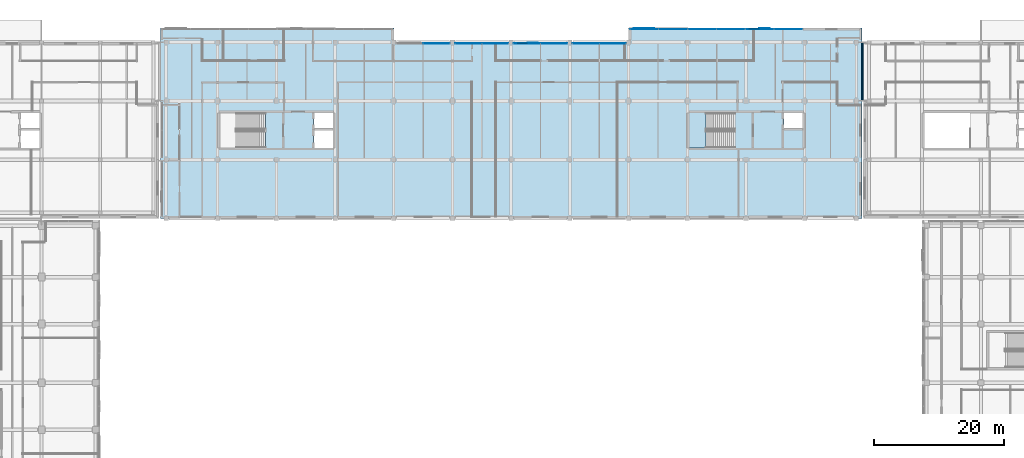
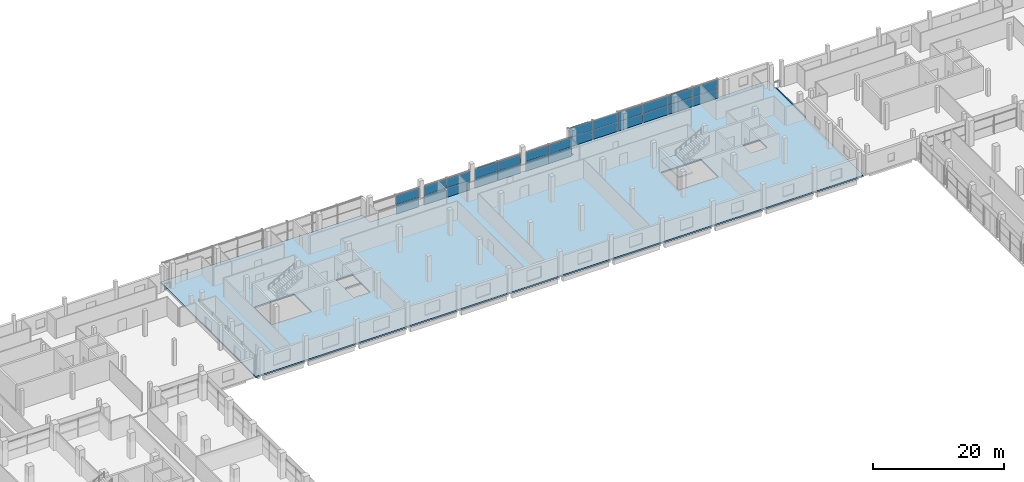
# One storey, part 61 of 111: 32 plates, 3 slabs, 8 elements without a shape of their own.
"""IFC4 building model written with IfcOpenShell, lengths in metres."""

from ifc_helpers import new_model, si_unit, direction, frame, origin, origin_2d, place, context, subcontext, project, spatial, polyline, rectangle, outline, extrude, material, layer, layer_set, type_object, element, aggregate, save


model = new_model("IFC4")

# Units and contexts
model_context = context("Model", 3, precision=1e-05, world=origin(), true_north=direction((0.0, 1.0)))
body_context = subcontext(model_context, "Body", "Model", "MODEL_VIEW")
ifc_project = project(units=[si_unit("LENGTHUNIT", "METRE"), si_unit("AREAUNIT", "SQUARE_METRE"), si_unit("VOLUMEUNIT", "CUBIC_METRE"), si_unit("PLANEANGLEUNIT", "RADIAN"), si_unit("MASSUNIT", "GRAM", prefix="KILO"), si_unit("THERMODYNAMICTEMPERATUREUNIT", "KELVIN"), si_unit("POWERUNIT", "WATT")], contexts=[model_context])

# Site, building, storey
site_placement = place(None, origin())
site = spatial("IfcSite", under=ifc_project, at=site_placement, CompositionType="ELEMENT")
building_placement = place(site_placement, origin())
building = spatial("IfcBuilding", under=site, at=building_placement, Name="Sindhuravela Promenade Stadium", CompositionType="ELEMENT")
storey_placement = place(building_placement, frame((0.0, 0.0, 9.60009765625)))
storey = spatial("IfcBuildingStorey", under=building, at=storey_placement, Name="L02", CompositionType="ELEMENT", Elevation=9.60009765625)

# Plates
ifc_material_1 = material(Name="Perforated terracotta celosia brick (15 MPa)", Category="masonry")
ifc_layer_1 = layer(ifc_material_1, 0.090087890625)
ifc_layer_set_1 = layer_set([ifc_layer_1], Name="Perforated terracotta celosia brick (15 MPa)")
plate_type_1 = type_object("IfcPlateType", Name="CL-SCR-01", PredefinedType="USERDEFINED", material=ifc_layer_set_1)
for number, where, z_axis, x_axis, name in (
    (1, (111.304931640625, 152.8798828125, -0.000244140625), (0.0, 0.0, 1.0), (1.0, 0.0, 0.0), "Perforated brick celosia screen NORTH L02-160"),
    (2, (146.824951171875, 155.080078125, -0.000244140625), (0.0, 0.0, 1.0), (1.0, 0.0, 0.0), "Perforated brick celosia screen NORTH L02-164"),
):
    element("IfcPlate", number, at=place(storey_placement, frame(where, z_axis=z_axis, x_axis=x_axis)), inside=storey, type_object=plate_type_1, Name=name, ObjectType="SCREEN PANEL", PredefinedType="USERDEFINED", context=body_context, shape_type="SweptSolid", body=[
        extrude(rectangle(XDim=1.56005859375, YDim=0.090087890625, at=origin_2d()), origin(), (0.0, 0.0, 1.0), 3.580078125),
    ])
ifc_layer_2 = layer(ifc_material_1, 0.114990234375)
ifc_layer_set_2 = layer_set([ifc_layer_2], Name="Perforated terracotta celosia brick (15 MPa)")
plate_type_2 = type_object("IfcPlateType", Name="CL-SCR-02", PredefinedType="USERDEFINED", material=ifc_layer_set_2)
plate_1_placement = place(storey_placement, frame((127.550048828125, 155.080078125, -0.000244140625), z_axis=(0.0, 0.0, 1.0), x_axis=(1.0, 0.0, 0.0)))
element("IfcPlate", 3, at=plate_1_placement, inside=storey, type_object=plate_type_2, Name="Perforated brick celosia screen NORTH L02-161", ObjectType="SCREEN PANEL", PredefinedType="USERDEFINED", context=body_context, shape_type="SweptSolid", body=[
    extrude(rectangle(XDim=1.56005859375, YDim=0.114990234375, at=origin_2d()), origin(), (0.0, 0.0, 1.0), 3.580078125),
])
ifc_layer_3 = layer(ifc_material_1, 0.139892578125)
ifc_layer_set_3 = layer_set([ifc_layer_3], Name="Perforated terracotta celosia brick (15 MPa)")
plate_type_3 = type_object("IfcPlateType", Name="CL-SCR-03", PredefinedType="USERDEFINED", material=ifc_layer_set_3)
plate_2_placement = place(storey_placement, frame((129.14990234375, 155.080078125, -0.000244140625), z_axis=(0.0, 0.0, 1.0), x_axis=(1.0, 0.0, 0.0)))
element("IfcPlate", 4, at=plate_2_placement, inside=storey, type_object=plate_type_3, Name="Perforated brick celosia screen NORTH L02-162", ObjectType="SCREEN PANEL", PredefinedType="USERDEFINED", context=body_context, shape_type="SweptSolid", body=[
    extrude(rectangle(XDim=1.56005859375, YDim=0.139892578125, at=origin_2d()), origin(), (0.0, 0.0, 1.0), 3.580078125),
])
ifc_layer_4 = layer(ifc_material_1, 0.1650390625)
ifc_layer_set_4 = layer_set([ifc_layer_4], Name="Perforated terracotta celosia brick (15 MPa)")
plate_type_4 = type_object("IfcPlateType", Name="CL-SCR-04", PredefinedType="USERDEFINED", material=ifc_layer_set_4)
for number, where, z_axis, x_axis, name in (
    (5, (109.705078125, 152.8798828125, -0.000244140625), (0.0, 0.0, 1.0), (1.0, 0.0, 0.0), "Perforated brick celosia screen NORTH L02-159"),
    (6, (145.22509765625, 155.080078125, -0.000244140625), (0.0, 0.0, 1.0), (1.0, 0.0, 0.0), "Perforated brick celosia screen NORTH L02-163"),
):
    element("IfcPlate", number, at=place(storey_placement, frame(where, z_axis=z_axis, x_axis=x_axis)), inside=storey, type_object=plate_type_4, Name=name, ObjectType="SCREEN PANEL", PredefinedType="USERDEFINED", context=body_context, shape_type="SweptSolid", body=[
        extrude(rectangle(XDim=1.56005859375, YDim=0.1650390625, at=origin_2d()), origin(), (0.0, 0.0, 1.0), 3.580078125),
    ])

# Curtain wall, plates
ifc_material_2 = material(Name="Anodised architectural aluminium 6063-T6", Category="aluminium")
curtain_wall_type_1 = type_object("IfcCurtainWallType", Name="CW-MOD-7", PredefinedType="NOTDEFINED", material=ifc_material_2)
curtain_wall_1_placement = place(storey_placement, origin())
curtain_wall_1 = element("IfcCurtainWall", 7, at=curtain_wall_1_placement, inside=storey, type_object=curtain_wall_type_1, Name="Bronze curtain wall CW-NORTH-L02-158", PredefinedType="NOTDEFINED")
ifc_material_3 = material(Name="Tempered laminated low-E glass", Category="glass")
ifc_layer_5 = layer(ifc_material_3, 0.028076171875)
ifc_layer_set_5 = layer_set([ifc_layer_5], Name="Tempered laminated low-E glass")
plate_type_5 = type_object("IfcPlateType", Name="CW-PNL-01", PredefinedType="CURTAIN_PANEL", material=ifc_layer_set_5)
plate_3_placement = place(storey_placement, frame((96.550048828125, 152.800048828125, 0.01513671875), z_axis=(0.0, 0.0, 1.0), x_axis=(1.0, 0.0, 0.0)))
plate_3 = element("IfcPlate", 8, at=plate_3_placement, type_object=plate_type_5, Name="Glazed curtain panel CW-NORTH-L02-158-P2.1", PredefinedType="CURTAIN_PANEL", context=body_context, shape_type="SweptSolid", body=[
    extrude(rectangle(XDim=4.0400390625, YDim=0.028076171875, at=origin_2d()), origin(), (0.0, 0.0, 1.0), 1.760009765625),
])
plate_4_placement = place(storey_placement, frame((96.550048828125, 152.800048828125, 1.80517578125), z_axis=(0.0, 0.0, 1.0), x_axis=(1.0, 0.0, 0.0)))
plate_4 = element("IfcPlate", 9, at=plate_4_placement, type_object=plate_type_5, Name="Glazed curtain panel CW-NORTH-L02-158-P2.2", PredefinedType="CURTAIN_PANEL", context=body_context, shape_type="SweptSolid", body=[
    extrude(rectangle(XDim=4.0400390625, YDim=0.028076171875, at=origin_2d()), origin(), (0.0, 0.0, 1.0), 1.679931640625),
])
aggregate(curtain_wall_1, [plate_3, plate_4])

curtain_wall_type_2 = type_object("IfcCurtainWallType", Name="CW-MOD-1", PredefinedType="NOTDEFINED", material=ifc_material_2)
curtain_wall_2_placement = place(storey_placement, origin())
curtain_wall_2 = element("IfcCurtainWall", 10, at=curtain_wall_2_placement, inside=storey, type_object=curtain_wall_type_2, Name="Bronze curtain wall CW-NORTH-L02-160", PredefinedType="NOTDEFINED")
plate_5_placement = place(storey_placement, frame((110.449951171875, 152.800048828125, 0.01513671875), z_axis=(0.0, 0.0, 1.0), x_axis=(1.0, 0.0, 0.0)))
plate_5 = element("IfcPlate", 11, at=plate_5_placement, type_object=plate_type_5, Name="Glazed curtain panel CW-NORTH-L02-160-P1.1", PredefinedType="CURTAIN_PANEL", context=body_context, shape_type="SweptSolid", body=[
    extrude(rectangle(XDim=4.0400390625, YDim=0.028076171875, at=origin_2d()), origin(), (0.0, 0.0, 1.0), 1.760009765625),
])
plate_6_placement = place(storey_placement, frame((110.449951171875, 152.800048828125, 1.80517578125), z_axis=(0.0, 0.0, 1.0), x_axis=(1.0, 0.0, 0.0)))
plate_6 = element("IfcPlate", 12, at=plate_6_placement, type_object=plate_type_5, Name="Glazed curtain panel CW-NORTH-L02-160-P1.2", PredefinedType="CURTAIN_PANEL", context=body_context, shape_type="SweptSolid", body=[
    extrude(rectangle(XDim=4.0400390625, YDim=0.028076171875, at=origin_2d()), origin(), (0.0, 0.0, 1.0), 1.679931640625),
])
plate_7_placement = place(storey_placement, frame((114.550048828125, 152.800048828125, 0.01513671875), z_axis=(0.0, 0.0, 1.0), x_axis=(1.0, 0.0, 0.0)))
plate_7 = element("IfcPlate", 13, at=plate_7_placement, type_object=plate_type_5, Name="Glazed curtain panel CW-NORTH-L02-160-P2.1", PredefinedType="CURTAIN_PANEL", context=body_context, shape_type="SweptSolid", body=[
    extrude(rectangle(XDim=4.0400390625, YDim=0.028076171875, at=origin_2d()), origin(), (0.0, 0.0, 1.0), 1.760009765625),
])
plate_8_placement = place(storey_placement, frame((114.550048828125, 152.800048828125, 1.80517578125), z_axis=(0.0, 0.0, 1.0), x_axis=(1.0, 0.0, 0.0)))
plate_8 = element("IfcPlate", 14, at=plate_8_placement, type_object=plate_type_5, Name="Glazed curtain panel CW-NORTH-L02-160-P2.2", PredefinedType="CURTAIN_PANEL", context=body_context, shape_type="SweptSolid", body=[
    extrude(rectangle(XDim=4.0400390625, YDim=0.028076171875, at=origin_2d()), origin(), (0.0, 0.0, 1.0), 1.679931640625),
])
aggregate(curtain_wall_2, [plate_5, plate_6, plate_7, plate_8])

curtain_wall_type_3 = type_object("IfcCurtainWallType", Name="CW-MOD-3", PredefinedType="NOTDEFINED", material=ifc_material_2)
curtain_wall_3_placement = place(storey_placement, origin())
curtain_wall_3 = element("IfcCurtainWall", 15, at=curtain_wall_3_placement, inside=storey, type_object=curtain_wall_type_3, Name="Bronze curtain wall CW-NORTH-L02-162", PredefinedType="NOTDEFINED")
plate_9_placement = place(storey_placement, frame((128.431884765625, 155.0, 0.01513671875), z_axis=(0.0, 0.0, 1.0), x_axis=(1.0, 0.0, 0.0)))
plate_9 = element("IfcPlate", 16, at=plate_9_placement, type_object=plate_type_5, Name="Glazed curtain panel CW-NORTH-L02-162-P1.1", PredefinedType="CURTAIN_PANEL", context=body_context, shape_type="SweptSolid", body=[
    extrude(rectangle(XDim=4.31396484375, YDim=0.028076171875, at=origin_2d()), origin(), (0.0, 0.0, 1.0), 1.760009765625),
])
plate_10_placement = place(storey_placement, frame((128.431884765625, 155.0, 1.80517578125), z_axis=(0.0, 0.0, 1.0), x_axis=(1.0, 0.0, 0.0)))
plate_10 = element("IfcPlate", 17, at=plate_10_placement, type_object=plate_type_5, Name="Glazed curtain panel CW-NORTH-L02-162-P1.2", PredefinedType="CURTAIN_PANEL", context=body_context, shape_type="SweptSolid", body=[
    extrude(rectangle(XDim=4.31396484375, YDim=0.028076171875, at=origin_2d()), origin(), (0.0, 0.0, 1.0), 1.679931640625),
])
plate_11_placement = place(storey_placement, frame((132.8056640625, 155.0, 0.01513671875), z_axis=(0.0, 0.0, 1.0), x_axis=(1.0, 0.0, 0.0)))
plate_11 = element("IfcPlate", 18, at=plate_11_placement, type_object=plate_type_5, Name="Glazed curtain panel CW-NORTH-L02-162-P2.1", PredefinedType="CURTAIN_PANEL", context=body_context, shape_type="SweptSolid", body=[
    extrude(rectangle(XDim=4.31396484375, YDim=0.028076171875, at=origin_2d()), origin(), (0.0, 0.0, 1.0), 1.760009765625),
])
plate_12_placement = place(storey_placement, frame((132.8056640625, 155.0, 1.80517578125), z_axis=(0.0, 0.0, 1.0), x_axis=(1.0, 0.0, 0.0)))
plate_12 = element("IfcPlate", 19, at=plate_12_placement, type_object=plate_type_5, Name="Glazed curtain panel CW-NORTH-L02-162-P2.2", PredefinedType="CURTAIN_PANEL", context=body_context, shape_type="SweptSolid", body=[
    extrude(rectangle(XDim=4.31396484375, YDim=0.028076171875, at=origin_2d()), origin(), (0.0, 0.0, 1.0), 1.679931640625),
])
aggregate(curtain_wall_3, [plate_9, plate_10, plate_11, plate_12])

curtain_wall_type_4 = type_object("IfcCurtainWallType", Name="CW-MOD-5", PredefinedType="NOTDEFINED", material=ifc_material_2)
curtain_wall_4_placement = place(storey_placement, origin())
curtain_wall_4 = element("IfcCurtainWall", 20, at=curtain_wall_4_placement, inside=storey, type_object=curtain_wall_type_4, Name="Bronze curtain wall CW-NORTH-L02-164", PredefinedType="NOTDEFINED")
plate_13_placement = place(storey_placement, frame((146.10693359375, 155.0, 0.01513671875), z_axis=(0.0, 0.0, 1.0), x_axis=(1.0, 0.0, 0.0)))
plate_13 = element("IfcPlate", 21, at=plate_13_placement, type_object=plate_type_5, Name="Glazed curtain panel CW-NORTH-L02-164-P1.1", PredefinedType="CURTAIN_PANEL", context=body_context, shape_type="SweptSolid", body=[
    extrude(rectangle(XDim=4.31396484375, YDim=0.028076171875, at=origin_2d()), origin(), (0.0, 0.0, 1.0), 1.760009765625),
])
plate_14_placement = place(storey_placement, frame((146.10693359375, 155.0, 1.80517578125), z_axis=(0.0, 0.0, 1.0), x_axis=(1.0, 0.0, 0.0)))
plate_14 = element("IfcPlate", 22, at=plate_14_placement, type_object=plate_type_5, Name="Glazed curtain panel CW-NORTH-L02-164-P1.2", PredefinedType="CURTAIN_PANEL", context=body_context, shape_type="SweptSolid", body=[
    extrude(rectangle(XDim=4.31396484375, YDim=0.028076171875, at=origin_2d()), origin(), (0.0, 0.0, 1.0), 1.679931640625),
])
plate_15_placement = place(storey_placement, frame((150.480712890625, 155.0, 0.01513671875), z_axis=(0.0, 0.0, 1.0), x_axis=(1.0, 0.0, 0.0)))
plate_15 = element("IfcPlate", 23, at=plate_15_placement, type_object=plate_type_5, Name="Glazed curtain panel CW-NORTH-L02-164-P2.1", PredefinedType="CURTAIN_PANEL", context=body_context, shape_type="SweptSolid", body=[
    extrude(rectangle(XDim=4.31396484375, YDim=0.028076171875, at=origin_2d()), origin(), (0.0, 0.0, 1.0), 1.760009765625),
])
plate_16_placement = place(storey_placement, frame((150.480712890625, 155.0, 1.80517578125), z_axis=(0.0, 0.0, 1.0), x_axis=(1.0, 0.0, 0.0)))
plate_16 = element("IfcPlate", 24, at=plate_16_placement, type_object=plate_type_5, Name="Glazed curtain panel CW-NORTH-L02-164-P2.2", PredefinedType="CURTAIN_PANEL", context=body_context, shape_type="SweptSolid", body=[
    extrude(rectangle(XDim=4.31396484375, YDim=0.028076171875, at=origin_2d()), origin(), (0.0, 0.0, 1.0), 1.679931640625),
])
aggregate(curtain_wall_4, [plate_13, plate_14, plate_15, plate_16])

curtain_wall_type_5 = type_object("IfcCurtainWallType", Name="CW-MOD-8", PredefinedType="NOTDEFINED", material=ifc_material_2)
curtain_wall_5_placement = place(storey_placement, origin())
curtain_wall_5 = element("IfcCurtainWall", 25, at=curtain_wall_5_placement, inside=storey, type_object=curtain_wall_type_5, Name="Bronze curtain wall CW-NORTH-L02-159", PredefinedType="NOTDEFINED")
ifc_layer_6 = layer(ifc_material_3, 0.0400390625)
ifc_layer_set_6 = layer_set([ifc_layer_6], Name="Tempered laminated low-E glass")
plate_type_6 = type_object("IfcPlateType", Name="CW-PNL-02", PredefinedType="CURTAIN_PANEL", material=ifc_layer_set_6)
plate_17_placement = place(storey_placement, frame((101.449951171875, 152.800048828125, 0.01513671875), z_axis=(0.0, 0.0, 1.0), x_axis=(1.0, 0.0, 0.0)))
plate_17 = element("IfcPlate", 26, at=plate_17_placement, type_object=plate_type_6, Name="Glazed curtain panel CW-NORTH-L02-159-P1.1", PredefinedType="CURTAIN_PANEL", context=body_context, shape_type="SweptSolid", body=[
    extrude(rectangle(XDim=4.0400390625, YDim=0.0400390625, at=origin_2d()), origin(), (0.0, 0.0, 1.0), 1.760009765625),
])
plate_18_placement = place(storey_placement, frame((101.449951171875, 152.800048828125, 1.80517578125), z_axis=(0.0, 0.0, 1.0), x_axis=(1.0, 0.0, 0.0)))
plate_18 = element("IfcPlate", 27, at=plate_18_placement, type_object=plate_type_6, Name="Glazed curtain panel CW-NORTH-L02-159-P1.2", PredefinedType="CURTAIN_PANEL", context=body_context, shape_type="SweptSolid", body=[
    extrude(rectangle(XDim=4.0400390625, YDim=0.0400390625, at=origin_2d()), origin(), (0.0, 0.0, 1.0), 1.679931640625),
])
plate_19_placement = place(storey_placement, frame((105.550048828125, 152.800048828125, 0.01513671875), z_axis=(0.0, 0.0, 1.0), x_axis=(1.0, 0.0, 0.0)))
plate_19 = element("IfcPlate", 28, at=plate_19_placement, type_object=plate_type_6, Name="Glazed curtain panel CW-NORTH-L02-159-P2.1", PredefinedType="CURTAIN_PANEL", context=body_context, shape_type="SweptSolid", body=[
    extrude(rectangle(XDim=4.0400390625, YDim=0.0400390625, at=origin_2d()), origin(), (0.0, 0.0, 1.0), 1.760009765625),
])
plate_20_placement = place(storey_placement, frame((105.550048828125, 152.800048828125, 1.80517578125), z_axis=(0.0, 0.0, 1.0), x_axis=(1.0, 0.0, 0.0)))
plate_20 = element("IfcPlate", 29, at=plate_20_placement, type_object=plate_type_6, Name="Glazed curtain panel CW-NORTH-L02-159-P2.2", PredefinedType="CURTAIN_PANEL", context=body_context, shape_type="SweptSolid", body=[
    extrude(rectangle(XDim=4.0400390625, YDim=0.0400390625, at=origin_2d()), origin(), (0.0, 0.0, 1.0), 1.679931640625),
])
aggregate(curtain_wall_5, [plate_17, plate_18, plate_19, plate_20])

curtain_wall_type_6 = type_object("IfcCurtainWallType", Name="CW-MOD-2", PredefinedType="NOTDEFINED", material=ifc_material_2)
curtain_wall_6_placement = place(storey_placement, origin())
curtain_wall_6 = element("IfcCurtainWall", 30, at=curtain_wall_6_placement, inside=storey, type_object=curtain_wall_type_6, Name="Bronze curtain wall CW-NORTH-L02-161", PredefinedType="NOTDEFINED")
plate_21_placement = place(storey_placement, frame((119.449951171875, 152.800048828125, 0.01513671875), z_axis=(0.0, 0.0, 1.0), x_axis=(1.0, 0.0, 0.0)))
plate_21 = element("IfcPlate", 31, at=plate_21_placement, type_object=plate_type_6, Name="Glazed curtain panel CW-NORTH-L02-161-P1.1", PredefinedType="CURTAIN_PANEL", context=body_context, shape_type="SweptSolid", body=[
    extrude(rectangle(XDim=4.0400390625, YDim=0.0400390625, at=origin_2d()), origin(), (0.0, 0.0, 1.0), 1.760009765625),
])
plate_22_placement = place(storey_placement, frame((119.449951171875, 152.800048828125, 1.80517578125), z_axis=(0.0, 0.0, 1.0), x_axis=(1.0, 0.0, 0.0)))
plate_22 = element("IfcPlate", 32, at=plate_22_placement, type_object=plate_type_6, Name="Glazed curtain panel CW-NORTH-L02-161-P1.2", PredefinedType="CURTAIN_PANEL", context=body_context, shape_type="SweptSolid", body=[
    extrude(rectangle(XDim=4.0400390625, YDim=0.0400390625, at=origin_2d()), origin(), (0.0, 0.0, 1.0), 1.679931640625),
])
plate_23_placement = place(storey_placement, frame((123.550048828125, 152.800048828125, 0.01513671875), z_axis=(0.0, 0.0, 1.0), x_axis=(1.0, 0.0, 0.0)))
plate_23 = element("IfcPlate", 33, at=plate_23_placement, type_object=plate_type_6, Name="Glazed curtain panel CW-NORTH-L02-161-P2.1", PredefinedType="CURTAIN_PANEL", context=body_context, shape_type="SweptSolid", body=[
    extrude(rectangle(XDim=4.0400390625, YDim=0.0400390625, at=origin_2d()), origin(), (0.0, 0.0, 1.0), 1.760009765625),
])
plate_24_placement = place(storey_placement, frame((123.550048828125, 152.800048828125, 1.80517578125), z_axis=(0.0, 0.0, 1.0), x_axis=(1.0, 0.0, 0.0)))
plate_24 = element("IfcPlate", 34, at=plate_24_placement, type_object=plate_type_6, Name="Glazed curtain panel CW-NORTH-L02-161-P2.2", PredefinedType="CURTAIN_PANEL", context=body_context, shape_type="SweptSolid", body=[
    extrude(rectangle(XDim=4.0400390625, YDim=0.0400390625, at=origin_2d()), origin(), (0.0, 0.0, 1.0), 1.679931640625),
])
aggregate(curtain_wall_6, [plate_21, plate_22, plate_23, plate_24])

curtain_wall_type_7 = type_object("IfcCurtainWallType", Name="CW-MOD-4", PredefinedType="NOTDEFINED", material=ifc_material_2)
curtain_wall_7_placement = place(storey_placement, origin())
curtain_wall_7 = element("IfcCurtainWall", 35, at=curtain_wall_7_placement, inside=storey, type_object=curtain_wall_type_7, Name="Bronze curtain wall CW-NORTH-L02-163", PredefinedType="NOTDEFINED")
plate_25_placement = place(storey_placement, frame((137.269287109375, 155.0, 0.01513671875), z_axis=(0.0, 0.0, 1.0), x_axis=(1.0, 0.0, 0.0)))
plate_25 = element("IfcPlate", 36, at=plate_25_placement, type_object=plate_type_6, Name="Glazed curtain panel CW-NORTH-L02-163-P1.1", PredefinedType="CURTAIN_PANEL", context=body_context, shape_type="SweptSolid", body=[
    extrude(rectangle(XDim=4.31396484375, YDim=0.0400390625, at=origin_2d()), origin(), (0.0, 0.0, 1.0), 1.760009765625),
])
plate_26_placement = place(storey_placement, frame((137.269287109375, 155.0, 1.80517578125), z_axis=(0.0, 0.0, 1.0), x_axis=(1.0, 0.0, 0.0)))
plate_26 = element("IfcPlate", 37, at=plate_26_placement, type_object=plate_type_6, Name="Glazed curtain panel CW-NORTH-L02-163-P1.2", PredefinedType="CURTAIN_PANEL", context=body_context, shape_type="SweptSolid", body=[
    extrude(rectangle(XDim=4.31396484375, YDim=0.0400390625, at=origin_2d()), origin(), (0.0, 0.0, 1.0), 1.679931640625),
])
plate_27_placement = place(storey_placement, frame((141.64306640625, 155.0, 0.01513671875), z_axis=(0.0, 0.0, 1.0), x_axis=(1.0, 0.0, 0.0)))
plate_27 = element("IfcPlate", 38, at=plate_27_placement, type_object=plate_type_6, Name="Glazed curtain panel CW-NORTH-L02-163-P2.1", PredefinedType="CURTAIN_PANEL", context=body_context, shape_type="SweptSolid", body=[
    extrude(rectangle(XDim=4.31396484375, YDim=0.0400390625, at=origin_2d()), origin(), (0.0, 0.0, 1.0), 1.760009765625),
])
plate_28_placement = place(storey_placement, frame((141.64306640625, 155.0, 1.80517578125), z_axis=(0.0, 0.0, 1.0), x_axis=(1.0, 0.0, 0.0)))
plate_28 = element("IfcPlate", 39, at=plate_28_placement, type_object=plate_type_6, Name="Glazed curtain panel CW-NORTH-L02-163-P2.2", PredefinedType="CURTAIN_PANEL", context=body_context, shape_type="SweptSolid", body=[
    extrude(rectangle(XDim=4.31396484375, YDim=0.0400390625, at=origin_2d()), origin(), (0.0, 0.0, 1.0), 1.679931640625),
])
aggregate(curtain_wall_7, [plate_25, plate_26, plate_27, plate_28])

# Slabs
ifc_material_4 = material(Name="Concrete M50", Category="concrete")
ifc_layer_7 = layer(ifc_material_4, 0.360107421875)
ifc_layer_set_7 = layer_set([ifc_layer_7], Name="Concrete M50")
slab_type_1 = type_object("IfcSlabType", Name="SL-BRG-360", PredefinedType="FLOOR", material=ifc_layer_set_7)
slab_1_placement = place(storey_placement, frame((0.0, 0.0, -0.360107421875)))
element("IfcSlab", 40, at=slab_1_placement, inside=storey, type_object=slab_type_1, Name="Concourse link bridge L02 North-NE", PredefinedType="FLOOR", context=body_context, shape_type="SweptSolid", body=[
    extrude(outline(polyline([(161.75, 144.0), (162.0, 144.0), (162.0, 153.0), (161.75, 153.0), (161.75, 144.0)])), origin(), (0.0, 0.0, 1.0), 0.360107421875),
])
ifc_material_5 = material(Name="Concrete M40", Category="concrete")
ifc_layer_8 = layer(ifc_material_5, 0.280029296875)
ifc_layer_set_8 = layer_set([ifc_layer_8], Name="Concrete M40")
slab_type_2 = type_object("IfcSlabType", Name="SL-FLR-280", PredefinedType="FLOOR", material=ifc_layer_set_8)
slab_2_placement = place(storey_placement, frame((0.0, 0.0, -0.280029296875)))
element("IfcSlab", 41, at=slab_2_placement, inside=storey, type_object=slab_type_2, Name="Floor slab NORTH L02", PredefinedType="FLOOR", context=body_context, shape_type="SweptSolid", body=[
    extrude(outline(polyline([(54.25, 126.0), (161.75, 126.0), (161.75, 155.199951171875), (126.0, 155.199951171875), (126.0, 153.0), (90.0, 153.0), (90.0, 155.199951171875), (54.25, 155.199951171875), (54.25, 126.0)]), holes=[polyline([(63.300048828125, 136.800048828125), (70.34912109375, 136.800048828125), (70.34912109375, 142.199951171875), (63.300048828125, 142.199951171875), (63.300048828125, 136.800048828125)]), polyline([(77.800048828125, 139.800048828125), (80.699951171875, 139.800048828125), (80.699951171875, 142.199951171875), (77.800048828125, 142.199951171875), (77.800048828125, 139.800048828125)]), polyline([(77.800048828125, 136.800048828125), (80.699951171875, 136.800048828125), (80.699951171875, 139.5), (77.800048828125, 139.5), (77.800048828125, 136.800048828125)]), polyline([(135.300048828125, 136.800048828125), (142.34912109375, 136.800048828125), (142.34912109375, 142.199951171875), (135.300048828125, 142.199951171875), (135.300048828125, 136.800048828125)]), polyline([(149.800048828125, 139.800048828125), (152.699951171875, 139.800048828125), (152.699951171875, 142.199951171875), (149.800048828125, 142.199951171875), (149.800048828125, 139.800048828125)])]), origin(), (0.0, 0.0, 1.0), 0.280029296875),
])

# Stair, slab
stair_type = type_object("IfcStairType", Name="ST-CORE-DOGLEG", PredefinedType="HALF_TURN_STAIR", material=ifc_material_5)
stair_placement = place(storey_placement, origin())
stair = element("IfcStair", 42, at=stair_placement, inside=storey, type_object=stair_type, Name="Protected escape stair ST10 (L02)", PredefinedType="HALF_TURN_STAIR")
ifc_layer_9 = layer(ifc_material_5, 0.219970703125)
ifc_layer_set_9 = layer_set([ifc_layer_9], Name="Concrete M40")
slab_type_3 = type_object("IfcSlabType", Name="SL-LND-220", PredefinedType="LANDING", material=ifc_layer_set_9)
slab_3_placement = place(storey_placement, frame((0.0, 0.0, 2.179931640625)))
slab_3 = element("IfcSlab", 43, at=slab_3_placement, type_object=slab_type_3, Name="Stair ST10 half-landing (L02)", PredefinedType="LANDING", context=body_context, shape_type="SweptSolid", body=[
    extrude(outline(polyline([(135.280029296875, 136.780029296875), (137.85205078125, 136.780029296875), (137.85205078125, 142.219970703125), (135.280029296875, 142.219970703125), (135.280029296875, 136.780029296875)])), origin(), (0.0, 0.0, 1.0), 0.219970703125),
])
aggregate(stair, [slab_3])

save(model, "model.ifc")
